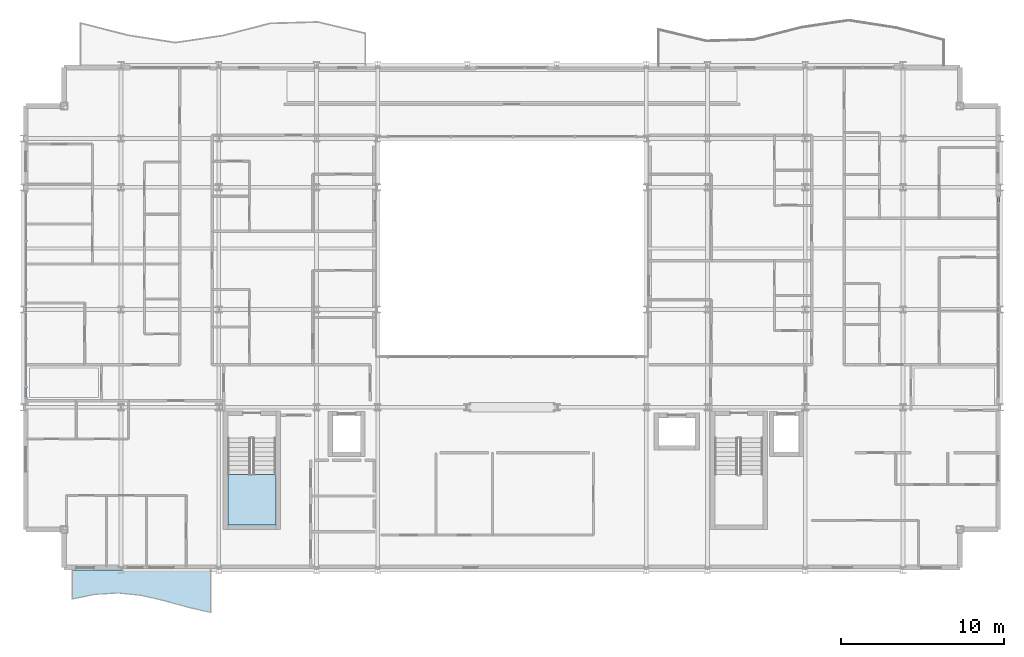
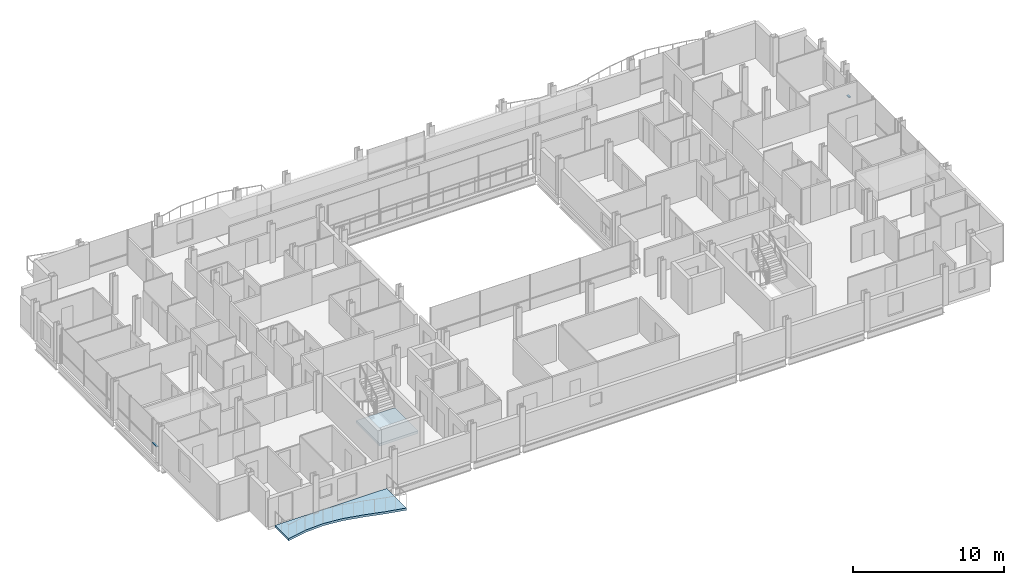
# One storey, part 25 of 40: 2 members, 2 slabs, 3 elements without a shape of their own.
"""IFC4 building model written with IfcOpenShell, lengths in metres."""

import ifcopenshell
import ifcopenshell.guid

model = None  # the IFC model being written
_history = None  # IfcOwnerHistory: only IFC2X3 demands one
_inside = {}  # id of a spatial element -> (the spatial element, [elements in it])
_under = {}  # id of a project, library or spatial element -> (it, [spatial elements below it])
_declared = {}  # id of a project -> (the project, [libraries it declares])
_typed = {}  # id of a type object -> (the type object, [elements of that type])
_made_of = {}  # id of a material, layer set ... -> (it, [elements and type objects made of it])


def new_model(schema):
    """Start an empty IFC model of exactly this schema.

    Asked for "IFC4X3", IfcOpenShell would pick the latest addendum, in which some entities
    have other attributes; the version numbers below select the first issue.
    IFC2X3 requires an IfcOwnerHistory on every rooted entity: one is made here for all.
    """
    global model, _history
    if schema == "IFC4X3":
        model = ifcopenshell.file(schema_version=(4, 3, 0, 0))
    else:
        model = ifcopenshell.file(schema=schema)
    _inside.clear()
    _under.clear()
    _declared.clear()
    _typed.clear()
    _made_of.clear()
    _history = None
    if model.schema == "IFC2X3":
        org = make("IfcOrganization", Name="unknown")
        user = make(
            "IfcPersonAndOrganization",
            ThePerson=make("IfcPerson", FamilyName="unknown"),
            TheOrganization=org,
        )
        app = make(
            "IfcApplication",
            ApplicationDeveloper=org,
            Version="unknown",
            ApplicationFullName="unknown",
            ApplicationIdentifier="unknown",
        )
        _history = make(
            "IfcOwnerHistory",
            OwningUser=user,
            OwningApplication=app,
            ChangeAction="ADDED",
            CreationDate=0,
        )
    return model


def make(cls, **values):
    """One entity of the class cls with the attributes given. An attribute that is None is left unset."""
    return model.create_entity(
        cls, **{name: value for name, value in values.items() if value is not None}
    )


def rooted(cls, **values):
    """An entity with a GlobalId (a new one), such as an element, a storey or a relation."""
    return make(cls, GlobalId=ifcopenshell.guid.new(), OwnerHistory=_history, **values)


def si_unit(unit_type, name, prefix=None):
    """IfcSIUnit, for example si_unit("LENGTHUNIT", "METRE", prefix="MILLI")."""
    return make("IfcSIUnit", UnitType=unit_type, Prefix=prefix, Name=name)


def assignment(units):
    """IfcUnitAssignment: the units of a project."""
    return None if units is None else make("IfcUnitAssignment", Units=units)


def point(xyz):
    """IfcCartesianPoint."""
    return None if xyz is None else make("IfcCartesianPoint", Coordinates=xyz)


def direction(xyz):
    """IfcDirection."""
    return None if xyz is None else make("IfcDirection", DirectionRatios=xyz)


def frame(location, z_axis=None, x_axis=None):
    """IfcAxis2Placement3D, a coordinate frame: its origin and axes. An axis left out is left unset."""
    return make(
        "IfcAxis2Placement3D",
        Location=point(location),
        Axis=direction(z_axis),
        RefDirection=direction(x_axis),
    )


def frame_2d(location, x_axis=None):
    """IfcAxis2Placement2D, a coordinate frame in the plane: its origin and x axis."""
    return make(
        "IfcAxis2Placement2D", Location=point(location), RefDirection=direction(x_axis)
    )


def origin():
    """The frame at (0, 0, 0) with its axes left unset."""
    return frame((0.0, 0.0, 0.0))


def origin_2d():
    """The frame at (0, 0) in the plane with its x axis left unset."""
    return frame_2d((0.0, 0.0))


def place(relative_to, where):
    """IfcLocalPlacement: puts the frame where relative to a parent placement (None: the world)."""
    return make(
        "IfcLocalPlacement", PlacementRelTo=relative_to, RelativePlacement=where
    )


def context(
    kind, dimensions, precision=None, world=None, true_north=None, identifier=None
):
    """IfcGeometricRepresentationContext, for example the 3D "Model" context."""
    return make(
        "IfcGeometricRepresentationContext",
        ContextIdentifier=identifier,
        ContextType=kind,
        CoordinateSpaceDimension=dimensions,
        Precision=precision,
        WorldCoordinateSystem=world,
        TrueNorth=true_north,
    )


def subcontext(parent, identifier, kind, view, scale=None):
    """IfcGeometricRepresentationSubContext, for example "Body" below "Model"."""
    return make(
        "IfcGeometricRepresentationSubContext",
        ContextIdentifier=identifier,
        ContextType=kind,
        ParentContext=parent,
        TargetScale=scale,
        TargetView=view,
    )


def project(units=None, contexts=None):
    """IfcProject with its units and contexts."""
    return rooted(
        "IfcProject",
        Name="project",
        RepresentationContexts=contexts,
        UnitsInContext=assignment(units),
    )


def spatial(cls, under=None, at=None, **own):
    """A site, building, storey or space (cls), placed at a placement, below another one or the project."""
    s = rooted(cls, ObjectPlacement=at, **own)
    if under is not None:
        _under.setdefault(under.id(), (under, []))[1].append(s)
    return s


def polyline(points):
    """IfcPolyline through the points."""
    return make("IfcPolyline", Points=[point(p) for p in points])


def profile(cls, at=None, kind="AREA", **sizes):
    """A parametric profile (cls). Its sizes go by their IFC names, for example OverallWidth=200.0."""
    return make(cls, ProfileType=kind, Position=at, **sizes)


def hollow_rectangle(**sizes):
    """IfcRectangleHollowProfileDef."""
    return profile("IfcRectangleHollowProfileDef", **sizes)


def outline(outer, holes=None, kind="AREA"):
    """IfcArbitraryClosedProfileDef: a profile drawn as a closed curve; with holes, ...WithVoids."""
    if holes is None:
        return make("IfcArbitraryClosedProfileDef", ProfileType=kind, OuterCurve=outer)
    return make(
        "IfcArbitraryProfileDefWithVoids",
        ProfileType=kind,
        OuterCurve=outer,
        InnerCurves=holes,
    )


def extrude(swept, where, along, depth):
    """IfcExtrudedAreaSolid: the profile swept, set in the frame where, extruded along a direction by depth."""
    return make(
        "IfcExtrudedAreaSolid",
        SweptArea=swept,
        Position=where,
        ExtrudedDirection=direction(along),
        Depth=depth,
    )


def shape(context_of_items, identifier, shape_type, items):
    """IfcShapeRepresentation: the items that make up one representation, for example the "Body"."""
    return make(
        "IfcShapeRepresentation",
        ContextOfItems=context_of_items,
        RepresentationIdentifier=identifier,
        RepresentationType=shape_type,
        Items=items,
    )


def material(Name=None, Category=None):
    """IfcMaterial."""
    return make("IfcMaterial", Name=Name, Category=Category)


def layer(
    of_material, thickness, ventilated=None, Name=None, Category=None, Priority=None
):
    """IfcMaterialLayer: one layer of a wall or slab, of a material (None: an air gap)."""
    return make(
        "IfcMaterialLayer",
        Material=of_material,
        LayerThickness=thickness,
        IsVentilated=ventilated,
        Name=Name,
        Category=Category,
        Priority=Priority,
    )


def layer_set(layers, Name=None):
    """IfcMaterialLayerSet."""
    return make("IfcMaterialLayerSet", MaterialLayers=layers, LayerSetName=Name)


def material_profile(
    of_material, cross_section, Name=None, Category=None, Priority=None
):
    """IfcMaterialProfile: a cross section and its material."""
    return make(
        "IfcMaterialProfile",
        Name=Name,
        Material=of_material,
        Profile=cross_section,
        Priority=Priority,
        Category=Category,
    )


def profile_set(profiles, Name=None, composite=None):
    """IfcMaterialProfileSet."""
    return make(
        "IfcMaterialProfileSet",
        Name=Name,
        MaterialProfiles=profiles,
        CompositeProfile=composite,
    )


def made_of(thing, what):
    """Note that an element or type object is made of a material, layer set ...; save() writes the relation."""
    if what is not None:
        _made_of.setdefault(what.id(), (what, []))[1].append(thing)
    return thing


def type_object(cls, material=None, **own):
    """A type object (cls), such as IfcWallType, which elements share."""
    return made_of(rooted(cls, **own), material)


def element(
    cls,
    number,
    at=None,
    inside=None,
    cuts=None,
    type_object=None,
    material=None,
    context=None,
    identifier="Body",
    shape_type=None,
    held_by="IfcProductDefinitionShape",
    body=None,
    shapes=None,
    **own,
):
    """One element of the class cls, such as IfcWall. Its Tag is "e" and its number.

    at: its placement. inside: the storey or other place that contains it. cuts: it is an
    opening in that element (IfcRelVoidsElement). A single representation is given by context,
    identifier, shape_type and body (its items); several are given by shapes. held_by: the class
    of the entity that holds the representations. save() writes the other relations.
    """
    e = rooted(cls, Tag="e%d" % number, ObjectPlacement=at, **own)
    if body is not None:
        shapes = [shape(context, identifier, shape_type, body)]
    if shapes is not None:
        e.Representation = make(held_by, Representations=shapes)
    if inside is not None:
        _inside.setdefault(inside.id(), (inside, []))[1].append(e)
    if cuts is not None:
        rooted(
            "IfcRelVoidsElement", RelatingBuildingElement=cuts, RelatedOpeningElement=e
        )
    if type_object is not None:
        _typed.setdefault(type_object.id(), (type_object, []))[1].append(e)
    return made_of(e, material)


def aggregate(whole, parts):
    """IfcRelAggregates: a whole, such as a stair, and the parts it consists of."""
    return rooted("IfcRelAggregates", RelatingObject=whole, RelatedObjects=parts)


def save(model, path):
    """Write the relations noted so far, then the file.

    IfcRelAggregates (storeys below a building ...), IfcRelContainedInSpatialStructure (elements
    in a storey), IfcRelDefinesByType, IfcRelAssociatesMaterial and IfcRelDeclares: one each for
    every whole, place, type object, material and project.
    """
    for whole, parts in _under.values():
        aggregate(whole, parts)
    for where, things in _inside.values():
        rooted(
            "IfcRelContainedInSpatialStructure",
            RelatedElements=things,
            RelatingStructure=where,
        )
    for kind, things in _typed.values():
        rooted("IfcRelDefinesByType", RelatedObjects=things, RelatingType=kind)
    for what, things in _made_of.values():
        rooted("IfcRelAssociatesMaterial", RelatedObjects=things, RelatingMaterial=what)
    for by, libraries in _declared.values():
        rooted("IfcRelDeclares", RelatingContext=by, RelatedDefinitions=libraries)
    model.write(path)


model = new_model("IFC4")

# Units and contexts
model_context = context("Model", 3, precision=1e-05, world=origin(), true_north=direction((0.0, 1.0)))
body_context = subcontext(model_context, "Body", "Model", "MODEL_VIEW")
ifc_project = project(units=[si_unit("LENGTHUNIT", "METRE"), si_unit("AREAUNIT", "SQUARE_METRE"), si_unit("VOLUMEUNIT", "CUBIC_METRE"), si_unit("PLANEANGLEUNIT", "RADIAN"), si_unit("MASSUNIT", "GRAM", prefix="KILO")], contexts=[model_context])

# Site, building, storey
site_placement = place(None, origin())
site = spatial("IfcSite", under=ifc_project, at=site_placement, CompositionType="ELEMENT")
building_placement = place(site_placement, origin())
building = spatial("IfcBuilding", under=site, at=building_placement, Name="Brevholm Reach", CompositionType="ELEMENT")
storey_placement = place(building_placement, frame((0.0, 0.0, 131.39990234375)))
storey = spatial("IfcBuildingStorey", under=building, at=storey_placement, Name="L39", CompositionType="ELEMENT", Elevation=131.39990234375)

# Curtain wall, member
ifc_material_1 = material(Name="Dark Anodised Aluminium 6063-T6 and Solar-Control Glass", Category="aluminium")
ifc_layer_1 = layer(ifc_material_1, 0.14990234375)
ifc_layer_set_1 = layer_set([ifc_layer_1], Name="Dark Anodised Aluminium 6063-T6 and Solar-Control Glass")
curtain_wall_type = type_object("IfcCurtainWallType", Name="CW-01", PredefinedType="NOTDEFINED", material=ifc_layer_set_1)
curtain_wall_1_placement = place(storey_placement, origin())
curtain_wall_1 = element("IfcCurtainWall", 1, at=curtain_wall_1_placement, inside=storey, type_object=curtain_wall_type, Name="L39 Curtain Wall CW-01", PredefinedType="NOTDEFINED")
ifc_material_2 = material(Name="Dark Anodised Aluminium 6063-T6", Category="aluminium")
ifc_material_profile = material_profile(ifc_material_2, hollow_rectangle(XDim=0.06494140625, YDim=0.14990234375, WallThickness=0.0048828125, InnerFilletRadius=0.0048828125, OuterFilletRadius=0.010009765625, at=origin_2d()), Name="RHS 150x65x5")
ifc_profile_set = profile_set([ifc_material_profile], Name="Dark Anodised Aluminium 6063-T6")
member_type = type_object("IfcMemberType", Name="CWT-150", PredefinedType="NOTDEFINED", material=ifc_profile_set)
member_1_placement = place(storey_placement, frame((0.14990234375, 11.1875, 0.900146484375), z_axis=(0.0, -1.0, 0.0), x_axis=(0.0, 0.0, 1.0)))
member_1 = element("IfcMember", 2, at=member_1_placement, type_object=member_type, Name="CT-150 Transom 5.1", ObjectType="TRANSOM", PredefinedType="USERDEFINED", context=body_context, shape_type="SweptSolid", body=[
    extrude(hollow_rectangle(XDim=0.06494140625, YDim=0.14990234375, WallThickness=0.0048828125, InnerFilletRadius=0.0048828125, OuterFilletRadius=0.010009765625, at=origin_2d()), origin(), (0.0, 0.0, 1.0), 0.572509765625),
])
aggregate(curtain_wall_1, [member_1])

curtain_wall_2_placement = place(storey_placement, origin())
curtain_wall_2 = element("IfcCurtainWall", 3, at=curtain_wall_2_placement, inside=storey, type_object=curtain_wall_type, Name="L39 Curtain Wall CW-01", PredefinedType="NOTDEFINED")
member_2_placement = place(storey_placement, frame((59.85009765625, 22.58251953125, 0.900146484375), z_axis=(0.0, 1.0, 0.0), x_axis=(0.0, 0.0, 1.0)))
member_2 = element("IfcMember", 4, at=member_2_placement, type_object=member_type, Name="CT-150 Transom 5.1", ObjectType="TRANSOM", PredefinedType="USERDEFINED", context=body_context, shape_type="SweptSolid", body=[
    extrude(hollow_rectangle(XDim=0.06494140625, YDim=0.14990234375, WallThickness=0.0048828125, InnerFilletRadius=0.0048828125, OuterFilletRadius=0.010009765625, at=origin_2d()), origin(), (0.0, 0.0, 1.0), 0.302490234375),
])
aggregate(curtain_wall_2, [member_2])

# Slab
ifc_material_3 = material(Name="Precast Concrete C40/50", Category="concrete")
ifc_layer_2 = layer(ifc_material_3, 0.179931640625)
ifc_layer_set_2 = layer_set([ifc_layer_2], Name="Precast Concrete C40/50")
slab_type_1 = type_object("IfcSlabType", Name="SLB-BAL-180", PredefinedType="FLOOR", material=ifc_layer_set_2)
slab_1_placement = place(storey_placement, frame((0.0, 0.0, -0.179931640625)))
element("IfcSlab", 5, at=slab_1_placement, inside=storey, type_object=slab_type_1, Name="L39 Rippling External Balcony SW", PredefinedType="FLOOR", context=body_context, shape_type="SweptSolid", body=[
    extrude(outline(polyline([(3.0, -1.7685546875), (4.416748046875, -1.484619140625), (5.833251953125, -1.402587890625), (7.25, -1.55029296875), (8.666748046875, -1.877685546875), (10.083251953125, -2.2724609375), (11.5, -2.599609375), (11.5, 0.0), (3.0, 0.0), (3.0, -1.7685546875)])), origin(), (0.0, 0.0, 1.0), 0.179931640625),
])

# Stair, slab
ifc_material_4 = material(Name="Precast Concrete C40/50", Category="concrete")
stair_type = type_object("IfcStairType", Name="STR-ESC-1400", PredefinedType="DOUBLE_RETURN_STAIR", material=ifc_material_4)
stair_placement = place(storey_placement, origin())
stair = element("IfcStair", 6, at=stair_placement, inside=storey, type_object=stair_type, Name="L39 ST-1", PredefinedType="DOUBLE_RETURN_STAIR")
ifc_material_5 = material(Name="Concrete C40/50", Category="concrete")
ifc_layer_3 = layer(ifc_material_5, 0.199951171875)
ifc_layer_set_3 = layer_set([ifc_layer_3], Name="Concrete C40/50")
slab_type_2 = type_object("IfcSlabType", Name="SLB-LND-200", PredefinedType="LANDING", material=ifc_layer_set_3)
slab_2_placement = place(storey_placement, frame((0.0, 0.0, 1.35009765625)))
slab_2 = element("IfcSlab", 7, at=slab_2_placement, type_object=slab_type_2, Name="ST-1 landing 1", PredefinedType="LANDING", context=body_context, shape_type="SweptSolid", body=[
    extrude(outline(polyline([(12.550048828125, 5.860107421875), (12.550048828125, 2.780029296875), (15.5, 2.780029296875), (15.5, 5.860107421875), (12.550048828125, 5.860107421875)])), origin(), (0.0, 0.0, 1.0), 0.199951171875),
])
aggregate(stair, [slab_2])

save(model, "model.ifc")
